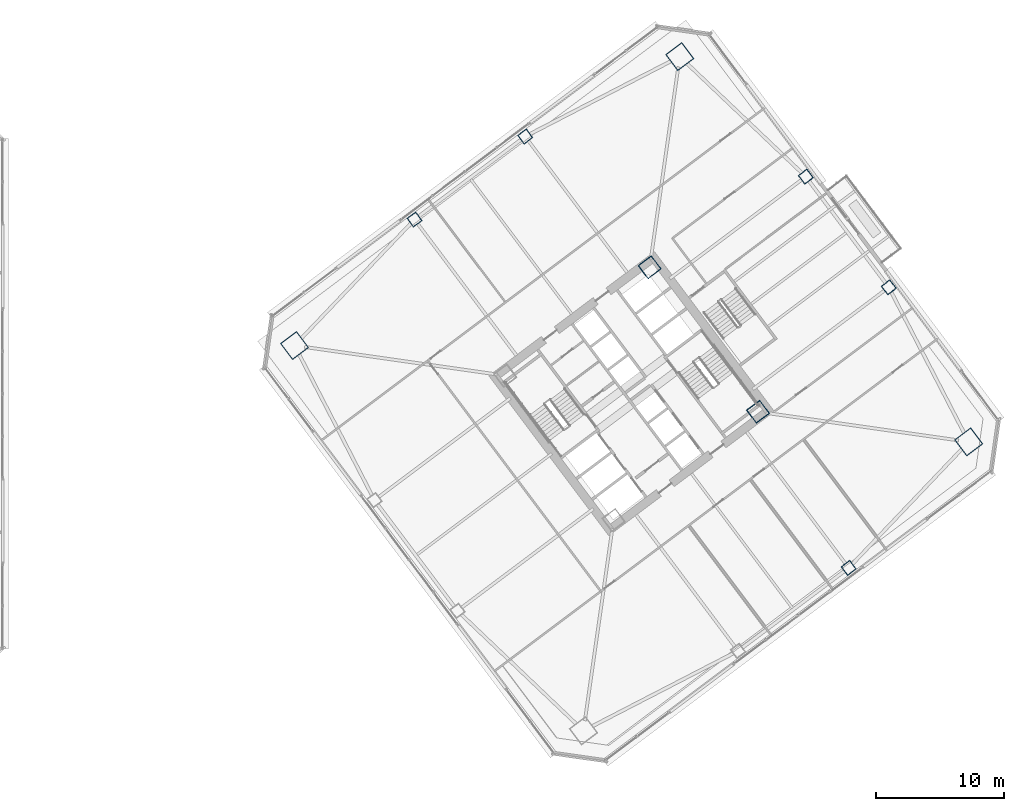
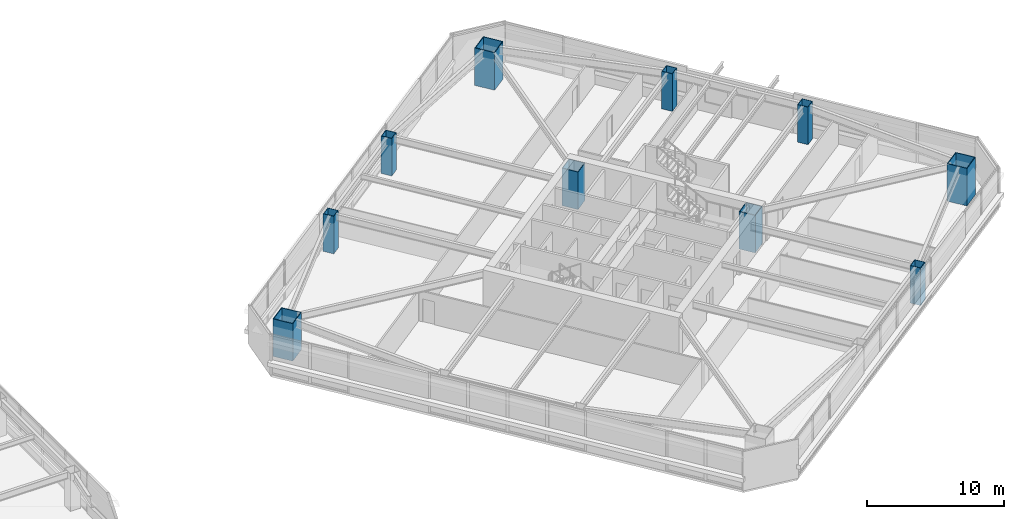
# One storey, part 2 of 47: 10 columns.
"""IFC4 building model written with IfcOpenShell, lengths in metres."""

import ifcopenshell
import ifcopenshell.guid

model = None  # the IFC model being written
_history = None  # IfcOwnerHistory: only IFC2X3 demands one
_inside = {}  # id of a spatial element -> (the spatial element, [elements in it])
_under = {}  # id of a project, library or spatial element -> (it, [spatial elements below it])
_declared = {}  # id of a project -> (the project, [libraries it declares])
_typed = {}  # id of a type object -> (the type object, [elements of that type])
_made_of = {}  # id of a material, layer set ... -> (it, [elements and type objects made of it])


def new_model(schema):
    """Start an empty IFC model of exactly this schema.

    Asked for "IFC4X3", IfcOpenShell would pick the latest addendum, in which some entities
    have other attributes; the version numbers below select the first issue.
    IFC2X3 requires an IfcOwnerHistory on every rooted entity: one is made here for all.
    """
    global model, _history
    if schema == "IFC4X3":
        model = ifcopenshell.file(schema_version=(4, 3, 0, 0))
    else:
        model = ifcopenshell.file(schema=schema)
    _inside.clear()
    _under.clear()
    _declared.clear()
    _typed.clear()
    _made_of.clear()
    _history = None
    if model.schema == "IFC2X3":
        org = make("IfcOrganization", Name="unknown")
        user = make(
            "IfcPersonAndOrganization",
            ThePerson=make("IfcPerson", FamilyName="unknown"),
            TheOrganization=org,
        )
        app = make(
            "IfcApplication",
            ApplicationDeveloper=org,
            Version="unknown",
            ApplicationFullName="unknown",
            ApplicationIdentifier="unknown",
        )
        _history = make(
            "IfcOwnerHistory",
            OwningUser=user,
            OwningApplication=app,
            ChangeAction="ADDED",
            CreationDate=0,
        )
    return model


def make(cls, **values):
    """One entity of the class cls with the attributes given. An attribute that is None is left unset."""
    return model.create_entity(
        cls, **{name: value for name, value in values.items() if value is not None}
    )


def rooted(cls, **values):
    """An entity with a GlobalId (a new one), such as an element, a storey or a relation."""
    return make(cls, GlobalId=ifcopenshell.guid.new(), OwnerHistory=_history, **values)


def si_unit(unit_type, name, prefix=None):
    """IfcSIUnit, for example si_unit("LENGTHUNIT", "METRE", prefix="MILLI")."""
    return make("IfcSIUnit", UnitType=unit_type, Prefix=prefix, Name=name)


def assignment(units):
    """IfcUnitAssignment: the units of a project."""
    return None if units is None else make("IfcUnitAssignment", Units=units)


def point(xyz):
    """IfcCartesianPoint."""
    return None if xyz is None else make("IfcCartesianPoint", Coordinates=xyz)


def direction(xyz):
    """IfcDirection."""
    return None if xyz is None else make("IfcDirection", DirectionRatios=xyz)


def frame(location, z_axis=None, x_axis=None):
    """IfcAxis2Placement3D, a coordinate frame: its origin and axes. An axis left out is left unset."""
    return make(
        "IfcAxis2Placement3D",
        Location=point(location),
        Axis=direction(z_axis),
        RefDirection=direction(x_axis),
    )


def frame_2d(location, x_axis=None):
    """IfcAxis2Placement2D, a coordinate frame in the plane: its origin and x axis."""
    return make(
        "IfcAxis2Placement2D", Location=point(location), RefDirection=direction(x_axis)
    )


def origin():
    """The frame at (0, 0, 0) with its axes left unset."""
    return frame((0.0, 0.0, 0.0))


def origin_2d():
    """The frame at (0, 0) in the plane with its x axis left unset."""
    return frame_2d((0.0, 0.0))


def place(relative_to, where):
    """IfcLocalPlacement: puts the frame where relative to a parent placement (None: the world)."""
    return make(
        "IfcLocalPlacement", PlacementRelTo=relative_to, RelativePlacement=where
    )


def context(
    kind, dimensions, precision=None, world=None, true_north=None, identifier=None
):
    """IfcGeometricRepresentationContext, for example the 3D "Model" context."""
    return make(
        "IfcGeometricRepresentationContext",
        ContextIdentifier=identifier,
        ContextType=kind,
        CoordinateSpaceDimension=dimensions,
        Precision=precision,
        WorldCoordinateSystem=world,
        TrueNorth=true_north,
    )


def subcontext(parent, identifier, kind, view, scale=None):
    """IfcGeometricRepresentationSubContext, for example "Body" below "Model"."""
    return make(
        "IfcGeometricRepresentationSubContext",
        ContextIdentifier=identifier,
        ContextType=kind,
        ParentContext=parent,
        TargetScale=scale,
        TargetView=view,
    )


def project(units=None, contexts=None):
    """IfcProject with its units and contexts."""
    return rooted(
        "IfcProject",
        Name="project",
        RepresentationContexts=contexts,
        UnitsInContext=assignment(units),
    )


def spatial(cls, under=None, at=None, **own):
    """A site, building, storey or space (cls), placed at a placement, below another one or the project."""
    s = rooted(cls, ObjectPlacement=at, **own)
    if under is not None:
        _under.setdefault(under.id(), (under, []))[1].append(s)
    return s


def profile(cls, at=None, kind="AREA", **sizes):
    """A parametric profile (cls). Its sizes go by their IFC names, for example OverallWidth=200.0."""
    return make(cls, ProfileType=kind, Position=at, **sizes)


def hollow_rectangle(**sizes):
    """IfcRectangleHollowProfileDef."""
    return profile("IfcRectangleHollowProfileDef", **sizes)


def extrude(swept, where, along, depth):
    """IfcExtrudedAreaSolid: the profile swept, set in the frame where, extruded along a direction by depth."""
    return make(
        "IfcExtrudedAreaSolid",
        SweptArea=swept,
        Position=where,
        ExtrudedDirection=direction(along),
        Depth=depth,
    )


def shape(context_of_items, identifier, shape_type, items):
    """IfcShapeRepresentation: the items that make up one representation, for example the "Body"."""
    return make(
        "IfcShapeRepresentation",
        ContextOfItems=context_of_items,
        RepresentationIdentifier=identifier,
        RepresentationType=shape_type,
        Items=items,
    )


def material(Name=None, Category=None):
    """IfcMaterial."""
    return make("IfcMaterial", Name=Name, Category=Category)


def material_profile(
    of_material, cross_section, Name=None, Category=None, Priority=None
):
    """IfcMaterialProfile: a cross section and its material."""
    return make(
        "IfcMaterialProfile",
        Name=Name,
        Material=of_material,
        Profile=cross_section,
        Priority=Priority,
        Category=Category,
    )


def profile_set(profiles, Name=None, composite=None):
    """IfcMaterialProfileSet."""
    return make(
        "IfcMaterialProfileSet",
        Name=Name,
        MaterialProfiles=profiles,
        CompositeProfile=composite,
    )


def made_of(thing, what):
    """Note that an element or type object is made of a material, layer set ...; save() writes the relation."""
    if what is not None:
        _made_of.setdefault(what.id(), (what, []))[1].append(thing)
    return thing


def type_object(cls, material=None, **own):
    """A type object (cls), such as IfcWallType, which elements share."""
    return made_of(rooted(cls, **own), material)


def element(
    cls,
    number,
    at=None,
    inside=None,
    cuts=None,
    type_object=None,
    material=None,
    context=None,
    identifier="Body",
    shape_type=None,
    held_by="IfcProductDefinitionShape",
    body=None,
    shapes=None,
    **own,
):
    """One element of the class cls, such as IfcWall. Its Tag is "e" and its number.

    at: its placement. inside: the storey or other place that contains it. cuts: it is an
    opening in that element (IfcRelVoidsElement). A single representation is given by context,
    identifier, shape_type and body (its items); several are given by shapes. held_by: the class
    of the entity that holds the representations. save() writes the other relations.
    """
    e = rooted(cls, Tag="e%d" % number, ObjectPlacement=at, **own)
    if body is not None:
        shapes = [shape(context, identifier, shape_type, body)]
    if shapes is not None:
        e.Representation = make(held_by, Representations=shapes)
    if inside is not None:
        _inside.setdefault(inside.id(), (inside, []))[1].append(e)
    if cuts is not None:
        rooted(
            "IfcRelVoidsElement", RelatingBuildingElement=cuts, RelatedOpeningElement=e
        )
    if type_object is not None:
        _typed.setdefault(type_object.id(), (type_object, []))[1].append(e)
    return made_of(e, material)


def aggregate(whole, parts):
    """IfcRelAggregates: a whole, such as a stair, and the parts it consists of."""
    return rooted("IfcRelAggregates", RelatingObject=whole, RelatedObjects=parts)


def save(model, path):
    """Write the relations noted so far, then the file.

    IfcRelAggregates (storeys below a building ...), IfcRelContainedInSpatialStructure (elements
    in a storey), IfcRelDefinesByType, IfcRelAssociatesMaterial and IfcRelDeclares: one each for
    every whole, place, type object, material and project.
    """
    for whole, parts in _under.values():
        aggregate(whole, parts)
    for where, things in _inside.values():
        rooted(
            "IfcRelContainedInSpatialStructure",
            RelatedElements=things,
            RelatingStructure=where,
        )
    for kind, things in _typed.values():
        rooted("IfcRelDefinesByType", RelatedObjects=things, RelatingType=kind)
    for what, things in _made_of.values():
        rooted("IfcRelAssociatesMaterial", RelatedObjects=things, RelatingMaterial=what)
    for by, libraries in _declared.values():
        rooted("IfcRelDeclares", RelatingContext=by, RelatedDefinitions=libraries)
    model.write(path)


model = new_model("IFC4")

# Units and contexts
model_context = context("Model", 3, precision=1e-05, world=origin(), true_north=direction((0.0, 1.0)))
body_context = subcontext(model_context, "Body", "Model", "MODEL_VIEW")
ifc_project = project(units=[si_unit("LENGTHUNIT", "METRE"), si_unit("AREAUNIT", "SQUARE_METRE"), si_unit("VOLUMEUNIT", "CUBIC_METRE"), si_unit("PLANEANGLEUNIT", "RADIAN"), si_unit("MASSUNIT", "GRAM", prefix="KILO")], contexts=[model_context])

# Site, building, storey
site_placement = place(None, origin())
site = spatial("IfcSite", under=ifc_project, at=site_placement, CompositionType="ELEMENT")
building_placement = place(site_placement, origin())
building = spatial("IfcBuilding", under=site, at=building_placement, Name="Tashvorn Skyway Center", CompositionType="ELEMENT")
storey_placement = place(building_placement, frame((0.0, 0.0, 42.35009765625)))
storey = spatial("IfcBuildingStorey", under=building, at=storey_placement, Name="L10", CompositionType="ELEMENT", Elevation=42.35009765625)

# Columns
ifc_material = material(Name="Steel ASTM A572 Grade 50", Category="steel")
ifc_material_profile_1 = material_profile(ifc_material, hollow_rectangle(XDim=1.300048828125, YDim=1.300048828125, WallThickness=0.050048828125, at=origin_2d()), Name="BOX1300x1300x50")
ifc_profile_set_1 = profile_set([ifc_material_profile_1], Name="Steel ASTM A572 Grade 50")
column_type_1 = type_object("IfcColumnType", Name="COL-BOX1300x1300x50", PredefinedType="COLUMN", material=ifc_profile_set_1)
for number, where, z_axis, x_axis, name in (
    (1, (123.8701171875, 30.590087890625, 0.0), (0.0, 0.0, 1.0), (0.799999996291, 0.600000004945, 0.0), "Tower 2 L10 Core Corner Column CC-SE"),
    (2, (115.409912109375, 41.8701171875, 0.0), (0.0, 0.0, 1.0), (0.799999996291, 0.600000004945, 0.0), "Tower 2 L10 Core Corner Column CC-NE"),
):
    element("IfcColumn", number, at=place(storey_placement, frame(where, z_axis=z_axis, x_axis=x_axis)), inside=storey, type_object=column_type_1, Name=name, PredefinedType="COLUMN", context=body_context, shape_type="SweptSolid", body=[
        extrude(hollow_rectangle(XDim=1.300048828125, YDim=1.300048828125, WallThickness=0.050048828125, at=origin_2d()), origin(), (0.0, 0.0, 1.0), 3.349853515625),
    ])
ifc_material_profile_2 = material_profile(ifc_material, hollow_rectangle(XDim=1.60009765625, YDim=1.60009765625, WallThickness=0.06005859375, at=origin_2d()), Name="BOX1600x1600x60")
ifc_profile_set_2 = profile_set([ifc_material_profile_2], Name="Steel ASTM A572 Grade 50")
column_type_2 = type_object("IfcColumnType", Name="COL-BOX1600x1600x60", PredefinedType="COLUMN", material=ifc_profile_set_2)
for number, where, z_axis, x_axis, name in (
    (3, (140.320068359375, 28.239990234375, 0.0), (0.0, 0.0, 1.0), (0.799999996291, 0.600000004945, 0.0), "Tower 2 L10 Mega-Column MC-SE"),
    (4, (117.760009765625, 58.320068359375, 0.0), (0.0, 0.0, 1.0), (0.799999996291, 0.600000004945, 0.0), "Tower 2 L10 Mega-Column MC-NE"),
    (5, (87.679931640625, 35.760009765625, 0.0), (0.0, 0.0, 1.0), (0.799999996291, 0.600000004945, 0.0), "Tower 2 L10 Mega-Column MC-NW"),
):
    element("IfcColumn", number, at=place(storey_placement, frame(where, z_axis=z_axis, x_axis=x_axis)), inside=storey, type_object=column_type_2, Name=name, PredefinedType="COLUMN", context=body_context, shape_type="SweptSolid", body=[
        extrude(hollow_rectangle(XDim=1.60009765625, YDim=1.60009765625, WallThickness=0.06005859375, at=origin_2d()), origin(), (0.0, 0.0, 1.0), 3.349853515625),
    ])
ifc_material_profile_3 = material_profile(ifc_material, hollow_rectangle(XDim=0.85009765625, YDim=0.85009765625, WallThickness=0.034912109375, at=origin_2d()), Name="BOX850x850x35")
ifc_profile_set_3 = profile_set([ifc_material_profile_3], Name="Steel ASTM A572 Grade 50")
column_type_3 = type_object("IfcColumnType", Name="COL-BOX850x850x35", PredefinedType="COLUMN", material=ifc_profile_set_3)
for number, where, z_axis, x_axis, name in (
    (6, (130.949951171875, 18.39990234375, 0.0), (0.0, 0.0, 1.0), (0.799999996291, 0.600000004945, 0.0), "Tower 2 L10 Perimeter Column FC-S2"),
    (7, (134.080078125, 40.31005859375, 0.0), (0.0, 0.0, 1.0), (0.799999996291, 0.600000004945, 0.0), "Tower 2 L10 Perimeter Column FC-E1"),
    (8, (127.60009765625, 48.949951171875, 0.0), (0.0, 0.0, 1.0), (0.799999996291, 0.600000004945, 0.0), "Tower 2 L10 Perimeter Column FC-E2"),
    (9, (105.68994140625, 52.080078125, 0.0), (0.0, 0.0, 1.0), (0.799999996291, 0.600000004945, 0.0), "Tower 2 L10 Perimeter Column FC-N1"),
    (10, (97.050048828125, 45.60009765625, 0.0), (0.0, 0.0, 1.0), (0.799999996291, 0.600000004945, 0.0), "Tower 2 L10 Perimeter Column FC-N2"),
):
    element("IfcColumn", number, at=place(storey_placement, frame(where, z_axis=z_axis, x_axis=x_axis)), inside=storey, type_object=column_type_3, Name=name, PredefinedType="COLUMN", context=body_context, shape_type="SweptSolid", body=[
        extrude(hollow_rectangle(XDim=0.85009765625, YDim=0.85009765625, WallThickness=0.034912109375, at=origin_2d()), origin(), (0.0, 0.0, 1.0), 3.349853515625),
    ])

save(model, "model.ifc")
